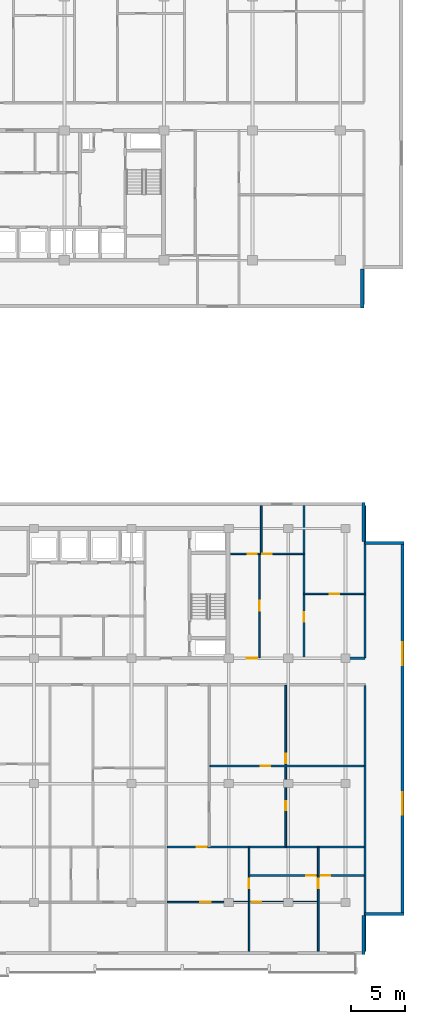
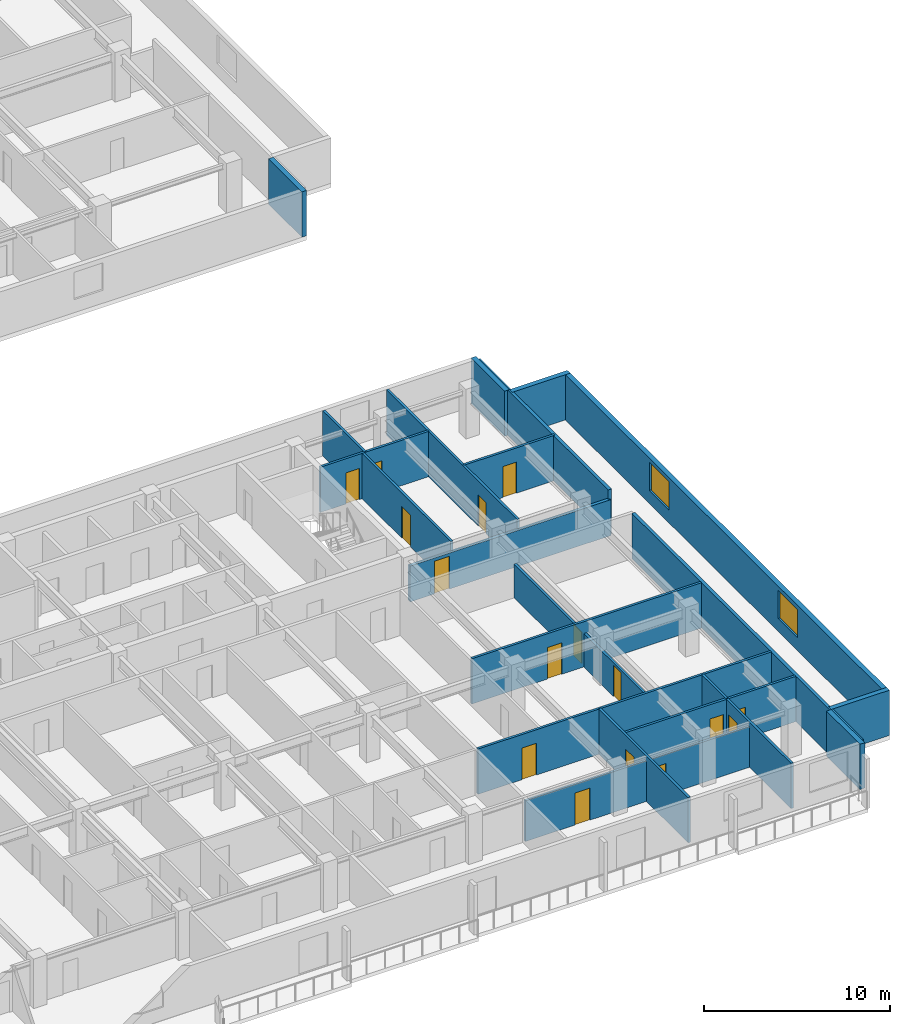
# One storey, part 9 of 21: 22 walls, 16 doors, 2 windows, 18 openings.
"""IFC4 building model written with IfcOpenShell, lengths in metres."""

from ifc_helpers import new_model, si_unit, direction, frame, frame_2d, origin, place, context, subcontext, project, spatial, rectangle, extrude, material, layer, layer_set, type_object, element, fill, save


model = new_model("IFC4")

# Units and contexts
model_context = context("Model", 3, precision=1e-05, world=origin(), true_north=direction((0.0, 1.0)))
body_context = subcontext(model_context, "Body", "Model", "MODEL_VIEW")
ifc_project = project(units=[si_unit("LENGTHUNIT", "METRE"), si_unit("AREAUNIT", "SQUARE_METRE"), si_unit("VOLUMEUNIT", "CUBIC_METRE"), si_unit("PLANEANGLEUNIT", "RADIAN"), si_unit("MASSUNIT", "GRAM", prefix="KILO")], contexts=[model_context])

# Site, building, storey
site_placement = place(None, origin())
site = spatial("IfcSite", under=ifc_project, at=site_placement, CompositionType="ELEMENT")
building_placement = place(site_placement, origin())
building = spatial("IfcBuilding", under=site, at=building_placement, Name="Korimba Cascade Residences", CompositionType="ELEMENT")
storey_placement = place(building_placement, frame((0.0, 0.0, 100.300048828125)))
storey = spatial("IfcBuildingStorey", under=building, at=storey_placement, Name="L28", CompositionType="ELEMENT", Elevation=100.300048828125)

# Walls
ifc_material_1 = material(Name="Precast concrete C40/50", Category="concrete")
ifc_layer_1 = layer(ifc_material_1, 0.300048828125)
ifc_layer_set_1 = layer_set([ifc_layer_1], Name="Precast concrete C40/50")
wall_type_1 = type_object("IfcWallType", Name="EW-STONE-300", PredefinedType="STANDARD", material=ifc_layer_set_1)
wall_1_placement = place(storey_placement, frame((130.449951171875, 50.800048828125, 0.0), z_axis=(0.0, 0.0, 1.0), x_axis=(0.0, 1.0, 0.0)))
element("IfcWall", 1, at=wall_1_placement, inside=storey, type_object=wall_type_1, Name="L28 T1 Perimeter Stone Wall E01", PredefinedType="STANDARD", context=body_context, shape_type="SweptSolid", body=[
    extrude(rectangle(XDim=3.599853515625, YDim=0.300048828125, at=frame_2d((1.7998046875, 0.0))), origin(), (0.0, 0.0, 1.0), 2.969970703125),
])
for number, where, z_axis, x_axis, name in (
    (2, (130.550048828125, -9.0, 0.0), (0.0, 0.0, 1.0), (0.0, 1.0, 0.0), "L28 T2 Perimeter Stone Wall E01"),
    (3, (130.699951171875, -5.25, 0.0), (0.0, 0.0, 1.0), (1.0, 0.0, 0.0), "L28 T2 Perimeter Stone Wall E02"),
):
    element("IfcWall", number, at=place(storey_placement, frame(where, z_axis=z_axis, x_axis=x_axis)), inside=storey, type_object=wall_type_1, Name=name, PredefinedType="STANDARD", context=body_context, shape_type="SweptSolid", body=[
        extrude(rectangle(XDim=3.60009765625, YDim=0.300048828125, at=frame_2d((1.800048828125, 0.0))), origin(), (0.0, 0.0, 1.0), 2.969970703125),
    ])

# Wall, openings, windows
wall_2_placement = place(storey_placement, frame((134.14990234375, -5.39990234375, 0.0), z_axis=(0.0, 0.0, 1.0), x_axis=(0.0, 1.0, 0.0)))
wall_2 = element("IfcWall", 4, at=wall_2_placement, inside=storey, type_object=wall_type_1, Name="L28 T2 Perimeter Stone Wall E03", PredefinedType="STANDARD", context=body_context, shape_type="SweptSolid", body=[
    extrude(rectangle(XDim=34.599853515625, YDim=0.300048828125, at=frame_2d((17.2998046875, 0.0))), origin(), (0.0, 0.0, 1.0), 2.969970703125),
])
opening_1_placement = place(wall_2_placement, frame((9.330078125, 0.0, 0.85009765625)))
opening_1 = element("IfcOpeningElement", 5, at=opening_1_placement, cuts=wall_2, Name="Opening W-03", PredefinedType="OPENING", context=body_context, shape_type="SweptSolid", body=[
    extrude(rectangle(XDim=2.10009765625, YDim=1.85009765625, at=frame_2d((1.050048828125, 0.925048828125))), frame((0.0, 0.16015625, 0.0), z_axis=(0.0, -1.0, 0.0), x_axis=(1.0, 0.0, 0.0)), (0.0, 0.0, 1.0), 0.320068359375),
])
opening_2_placement = place(wall_2_placement, frame((23.169921875, 0.0, 0.85009765625)))
opening_2 = element("IfcOpeningElement", 6, at=opening_2_placement, cuts=wall_2, Name="Opening W-03", PredefinedType="OPENING", context=body_context, shape_type="SweptSolid", body=[
    extrude(rectangle(XDim=2.10009765625, YDim=1.85009765625, at=frame_2d((1.050048828125, 0.925048828125))), frame((0.0, 0.16015625, 0.0), z_axis=(0.0, -1.0, 0.0), x_axis=(1.0, 0.0, 0.0)), (0.0, 0.0, 1.0), 0.320068359375),
])
ifc_material_2 = material(Name="Double-Glazed Aluminium Window", Category="aluminium")
window_type = type_object("IfcWindowType", Name="WIN-CRN-2100", PartitioningType="DOUBLE_PANEL_HORIZONTAL", PredefinedType="WINDOW", material=ifc_material_2)
window_1_placement = place(opening_1_placement, origin())
window_1 = element("IfcWindow", 7, at=window_1_placement, inside=storey, type_object=window_type, Name="L28 T2 End View Window 3.1", OverallHeight=1.85009765625, OverallWidth=2.10009765625, PartitioningType="DOUBLE_PANEL_HORIZONTAL", PredefinedType="WINDOW", context=body_context, shape_type="SweptSolid", body=[
    extrude(rectangle(XDim=2.10009765625, YDim=1.85009765625, at=frame_2d((1.050048828125, 0.925048828125))), frame((0.0, 0.030029296875, 0.0), z_axis=(0.0, -1.0, 0.0), x_axis=(1.0, 0.0, 0.0)), (0.0, 0.0, 1.0), 0.06005859375),
])
fill(opening_1, window_1)
window_2_placement = place(opening_2_placement, origin())
window_2 = element("IfcWindow", 8, at=window_2_placement, inside=storey, type_object=window_type, Name="L28 T2 End View Window 3.2", OverallHeight=1.85009765625, OverallWidth=2.10009765625, PartitioningType="DOUBLE_PANEL_HORIZONTAL", PredefinedType="WINDOW", context=body_context, shape_type="SweptSolid", body=[
    extrude(rectangle(XDim=2.10009765625, YDim=1.85009765625, at=frame_2d((1.050048828125, 0.925048828125))), frame((0.0, 0.030029296875, 0.0), z_axis=(0.0, -1.0, 0.0), x_axis=(1.0, 0.0, 0.0)), (0.0, 0.0, 1.0), 0.06005859375),
])
fill(opening_2, window_2)

# Walls
for number, where, z_axis, x_axis, name in (
    (9, (134.300048828125, 29.050048828125, 0.0), (0.0, 0.0, 1.0), (-1.0, 0.0, 0.0), "L28 T2 Perimeter Stone Wall E04"),
    (10, (130.550048828125, 29.199951171875, 0.0), (0.0, 0.0, 1.0), (0.0, 1.0, 0.0), "L28 T2 Perimeter Stone Wall E05"),
):
    element("IfcWall", number, at=place(storey_placement, frame(where, z_axis=z_axis, x_axis=x_axis)), inside=storey, type_object=wall_type_1, Name=name, PredefinedType="STANDARD", context=body_context, shape_type="SweptSolid", body=[
        extrude(rectangle(XDim=3.60009765625, YDim=0.300048828125, at=frame_2d((1.800048828125, 0.0))), origin(), (0.0, 0.0, 1.0), 2.969970703125),
    ])
ifc_layer_2 = layer(ifc_material_1, 0.199951171875)
ifc_layer_set_2 = layer_set([ifc_layer_2], Name="Precast concrete C40/50")
wall_type_2 = type_object("IfcWallType", Name="WAL-IT-200", PredefinedType="PARTITIONING", material=ifc_layer_set_2)
wall_3_placement = place(storey_placement, frame((130.699951171875, 18.39990234375, 0.0), z_axis=(0.0, 0.0, 1.0), x_axis=(0.0, 1.0, 0.0)))
element("IfcWall", 11, at=wall_3_placement, inside=storey, type_object=wall_type_2, Name="L28 Partition Wall WAL-L28-T2-FE-WR", PredefinedType="PARTITIONING", context=body_context, shape_type="SweptSolid", body=[
    extrude(rectangle(XDim=14.10009765625, YDim=0.199951171875, at=frame_2d((7.050048828125, 0.0))), origin(), (0.0, 0.0, 1.0), 2.969970703125),
])

# Wall, opening, door
wall_4_placement = place(storey_placement, frame((118.25, 18.39990234375, 0.0), z_axis=(0.0, 0.0, 1.0), x_axis=(1.0, 0.0, 0.0)))
wall_4 = element("IfcWall", 12, at=wall_4_placement, inside=storey, type_object=wall_type_2, Name="L28 Partition Wall WAL-L28-T2-FE-S", PredefinedType="PARTITIONING", context=body_context, shape_type="SweptSolid", body=[
    extrude(rectangle(XDim=12.449951171875, YDim=0.199951171875, at=frame_2d((6.22509765625, 0.0))), origin(), (0.0, 0.0, 1.0), 2.357666015625),
])
opening_3_placement = place(wall_4_placement, frame((1.510009765625, 0.0, 0.0)))
opening_3 = element("IfcOpeningElement", 13, at=opening_3_placement, cuts=wall_4, Name="Opening D-UN1", PredefinedType="OPENING", context=body_context, shape_type="SweptSolid", body=[
    extrude(rectangle(XDim=0.949951171875, YDim=2.14990234375, at=frame_2d((0.47509765625, 1.074951171875))), frame((0.0, 0.10986328125, 0.0), z_axis=(0.0, -1.0, 0.0), x_axis=(1.0, 0.0, 0.0)), (0.0, 0.0, 1.0), 0.219970703125),
])
ifc_material_3 = material(Name="Fire-Rated Hardwood Apartment Entrance Door", Category="wood")
door_type_1 = type_object("IfcDoorType", Name="DR-FD60-950", OperationType="NOTDEFINED", PredefinedType="DOOR", material=ifc_material_3)
door_1_placement = place(opening_3_placement, origin())
door_1 = element("IfcDoor", 14, at=door_1_placement, inside=storey, type_object=door_type_1, Name="L28-T2-FE Entrance Door", OperationType="SINGLE_SWING_RIGHT", OverallHeight=2.14990234375, OverallWidth=0.949951171875, PredefinedType="DOOR", context=body_context, shape_type="SweptSolid", body=[
    extrude(rectangle(XDim=0.949951171875, YDim=2.14990234375, at=frame_2d((0.47509765625, 1.074951171875))), frame((0.0, 0.02490234375, 0.0), z_axis=(0.0, -1.0, 0.0), x_axis=(1.0, 0.0, 0.0)), (0.0, 0.0, 1.0), 0.050048828125),
])
fill(opening_3, door_1)

# Wall
wall_5_placement = place(storey_placement, frame((130.699951171875, -8.699951171875, 0.0), z_axis=(0.0, 0.0, 1.0), x_axis=(0.0, 1.0, 0.0)))
element("IfcWall", 15, at=wall_5_placement, inside=storey, type_object=wall_type_2, Name="L28 Partition Wall WAL-L28-T2-BNDWR", PredefinedType="PARTITIONING", context=body_context, shape_type="SweptSolid", body=[
    extrude(rectangle(XDim=24.570068359375, YDim=0.199951171875, at=frame_2d((12.28515625, 0.0))), origin(), (0.0, 0.0, 1.0), 2.969970703125),
])

# Wall, opening, door
ifc_material_4 = material(Name="Insulated Acoustic Stud Partition", Category="gypsum")
ifc_layer_3 = layer(ifc_material_4, 0.14990234375)
ifc_layer_set_3 = layer_set([ifc_layer_3], Name="Insulated Acoustic Stud Partition")
wall_type_3 = type_object("IfcWallType", Name="WAL-PART-150", PredefinedType="PARTITIONING", material=ifc_layer_set_3)
wall_6_placement = place(storey_placement, frame((125.050048828125, 24.35009765625, 0.0), z_axis=(0.0, 0.0, 1.0), x_axis=(1.0, 0.0, 0.0)))
wall_6 = element("IfcWall", 16, at=wall_6_placement, inside=storey, type_object=wall_type_3, Name="L28 Partition Wall WAL-L28-T2-FE-STH", PredefinedType="PARTITIONING", context=body_context, shape_type="SweptSolid", body=[
    extrude(rectangle(XDim=5.64990234375, YDim=0.14990234375, at=frame_2d((2.824951171875, 0.0))), origin(), (0.0, 0.0, 1.0), 2.969970703125),
])
opening_4_placement = place(wall_6_placement, frame((2.405029296875, 0.0, 0.0)))
opening_4 = element("IfcOpeningElement", 17, at=opening_4_placement, cuts=wall_6, Name="Opening D-BT1", PredefinedType="OPENING", context=body_context, shape_type="SweptSolid", body=[
    extrude(rectangle(XDim=0.840087890625, YDim=2.0400390625, at=frame_2d((0.419921875, 1.02001953125))), frame((0.0, 0.0849609375, 0.0), z_axis=(0.0, -1.0, 0.0), x_axis=(1.0, 0.0, 0.0)), (0.0, 0.0, 1.0), 0.169921875),
])
ifc_material_5 = material(Name="Moisture-Resistant Bathroom Timber Door", Category="wood")
door_type_2 = type_object("IfcDoorType", Name="DR-INT-850", OperationType="NOTDEFINED", PredefinedType="DOOR", material=ifc_material_5)
door_2_placement = place(opening_4_placement, origin())
door_2 = element("IfcDoor", 18, at=door_2_placement, inside=storey, type_object=door_type_2, Name="L28-T2-FE Dressing Store Door", OperationType="SINGLE_SWING_LEFT", OverallHeight=2.0400390625, OverallWidth=0.840087890625, PredefinedType="DOOR", context=body_context, shape_type="SweptSolid", body=[
    extrude(rectangle(XDim=0.840087890625, YDim=2.0400390625, at=frame_2d((0.419921875, 1.02001953125))), frame((0.0, 0.02490234375, 0.0), z_axis=(0.0, -1.0, 0.0), x_axis=(1.0, 0.0, 0.0)), (0.0, 0.0, 1.0), 0.050048828125),
])
fill(opening_4, door_2)

wall_7_placement = place(storey_placement, frame((125.050048828125, 18.449951171875, 0.0), z_axis=(0.0, 0.0, 1.0), x_axis=(0.0, 1.0, 0.0)))
wall_7 = element("IfcWall", 19, at=wall_7_placement, inside=storey, type_object=wall_type_3, Name="L28 Partition Wall WAL-L28-T2-FE-STV", PredefinedType="PARTITIONING", context=body_context, shape_type="SweptSolid", body=[
    extrude(rectangle(XDim=14.050048828125, YDim=0.14990234375, at=frame_2d((7.02490234375, 0.0))), origin(), (0.0, 0.0, 1.0), 2.969970703125),
])
opening_5_placement = place(wall_7_placement, frame((3.320068359375, 0.0, 0.0)))
opening_5 = element("IfcOpeningElement", 20, at=opening_5_placement, cuts=wall_7, Name="Opening D-IN2", PredefinedType="OPENING", context=body_context, shape_type="SweptSolid", body=[
    extrude(rectangle(XDim=0.8798828125, YDim=2.06005859375, at=frame_2d((0.43994140625, 1.030029296875))), frame((0.0, 0.0849609375, 0.0), z_axis=(0.0, -1.0, 0.0), x_axis=(1.0, 0.0, 0.0)), (0.0, 0.0, 1.0), 0.169921875),
])
ifc_material_6 = material(Name="Acoustic Timber Bedroom Door", Category="wood")
door_type_3 = type_object("IfcDoorType", Name="DR-INT-880", OperationType="NOTDEFINED", PredefinedType="DOOR", material=ifc_material_6)
door_3_placement = place(opening_5_placement, origin())
door_3 = element("IfcDoor", 21, at=door_3_placement, inside=storey, type_object=door_type_3, Name="L28-T2-FE Study Door", OperationType="SINGLE_SWING_RIGHT", OverallHeight=2.06005859375, OverallWidth=0.8798828125, PredefinedType="DOOR", context=body_context, shape_type="SweptSolid", body=[
    extrude(rectangle(XDim=0.8798828125, YDim=2.06005859375, at=frame_2d((0.43994140625, 1.030029296875))), frame((0.0, 0.02490234375, 0.0), z_axis=(0.0, -1.0, 0.0), x_axis=(1.0, 0.0, 0.0)), (0.0, 0.0, 1.0), 0.050048828125),
])
fill(opening_5, door_3)

wall_8_placement = place(storey_placement, frame((120.929931640625, 18.449951171875, 0.0), z_axis=(0.0, 0.0, 1.0), x_axis=(0.0, 1.0, 0.0)))
wall_8 = element("IfcWall", 22, at=wall_8_placement, inside=storey, type_object=wall_type_3, Name="L28 Partition Wall WAL-L28-T2-FE-VS", PredefinedType="PARTITIONING", context=body_context, shape_type="SweptSolid", body=[
    extrude(rectangle(XDim=9.60009765625, YDim=0.14990234375, at=frame_2d((4.800048828125, 0.0))), origin(), (0.0, 0.0, 1.0), 2.969970703125),
])
opening_6_placement = place(wall_8_placement, frame((4.340087890625, 0.0, 0.0)))
opening_6 = element("IfcOpeningElement", 23, at=opening_6_placement, cuts=wall_8, Name="Opening D-IN1", PredefinedType="OPENING", context=body_context, shape_type="SweptSolid", body=[
    extrude(rectangle(XDim=0.919921875, YDim=2.080078125, at=frame_2d((0.4599609375, 1.0400390625))), frame((0.0, 0.0849609375, 0.0), z_axis=(0.0, -1.0, 0.0), x_axis=(1.0, 0.0, 0.0)), (0.0, 0.0, 1.0), 0.169921875),
])
ifc_material_7 = material(Name="Acoustic Timber Living Door", Category="wood")
door_type_4 = type_object("IfcDoorType", Name="DR-INT-920", OperationType="NOTDEFINED", PredefinedType="DOOR", material=ifc_material_7)
door_4_placement = place(opening_6_placement, origin())
door_4 = element("IfcDoor", 24, at=door_4_placement, inside=storey, type_object=door_type_4, Name="L28-T2-FE Living Door", OperationType="SINGLE_SWING_LEFT", OverallHeight=2.080078125, OverallWidth=0.919921875, PredefinedType="DOOR", context=body_context, shape_type="SweptSolid", body=[
    extrude(rectangle(XDim=0.919921875, YDim=2.080078125, at=frame_2d((0.4599609375, 1.0400390625))), frame((0.0, 0.02490234375, 0.0), z_axis=(0.0, -1.0, 0.0), x_axis=(1.0, 0.0, 0.0)), (0.0, 0.0, 1.0), 0.050048828125),
])
fill(opening_6, door_4)

# Wall
wall_9_placement = place(storey_placement, frame((121.10009765625, 28.050048828125, 0.0), z_axis=(0.0, 0.0, 1.0), x_axis=(0.0, 1.0, 0.0)))
element("IfcWall", 25, at=wall_9_placement, inside=storey, type_object=wall_type_3, Name="L28 Partition Wall WAL-L28-T2-FE-VN", PredefinedType="PARTITIONING", context=body_context, shape_type="SweptSolid", body=[
    extrude(rectangle(XDim=4.449951171875, YDim=0.14990234375, at=frame_2d((2.22509765625, 0.0))), origin(), (0.0, 0.0, 1.0), 2.969970703125),
])

# Wall, openings, doors
wall_10_placement = place(storey_placement, frame((118.27001953125, 28.050048828125, 0.0), z_axis=(0.0, 0.0, 1.0), x_axis=(1.0, 0.0, 0.0)))
wall_10 = element("IfcWall", 26, at=wall_10_placement, inside=storey, type_object=wall_type_3, Name="L28 Partition Wall WAL-L28-T2-FE-H", PredefinedType="PARTITIONING", context=body_context, shape_type="SweptSolid", body=[
    extrude(rectangle(XDim=6.760009765625, YDim=0.14990234375, at=frame_2d((3.3798828125, 0.0))), origin(), (0.0, 0.0, 1.0), 2.969970703125),
])
opening_7_placement = place(wall_10_placement, frame((1.58740234375, 0.0, 0.0)))
opening_7 = element("IfcOpeningElement", 27, at=opening_7_placement, cuts=wall_10, Name="Opening D-BT1", PredefinedType="OPENING", context=body_context, shape_type="SweptSolid", body=[
    extrude(rectangle(XDim=0.840087890625, YDim=2.0400390625, at=frame_2d((0.419921875, 1.02001953125))), frame((0.0, 0.0849609375, 0.0), z_axis=(0.0, -1.0, 0.0), x_axis=(1.0, 0.0, 0.0)), (0.0, 0.0, 1.0), 0.169921875),
])
opening_8_placement = place(wall_10_placement, frame((2.93994140625, 0.0, 0.0)))
opening_8 = element("IfcOpeningElement", 28, at=opening_8_placement, cuts=wall_10, Name="Opening D-IN2", PredefinedType="OPENING", context=body_context, shape_type="SweptSolid", body=[
    extrude(rectangle(XDim=0.8798828125, YDim=2.06005859375, at=frame_2d((0.43994140625, 1.030029296875))), frame((0.0, 0.0849609375, 0.0), z_axis=(0.0, -1.0, 0.0), x_axis=(1.0, 0.0, 0.0)), (0.0, 0.0, 1.0), 0.169921875),
])
door_5_placement = place(opening_7_placement, origin())
door_5 = element("IfcDoor", 29, at=door_5_placement, inside=storey, type_object=door_type_2, Name="L28-T2-FE Bathroom Door", OperationType="SINGLE_SWING_RIGHT", OverallHeight=2.0400390625, OverallWidth=0.840087890625, PredefinedType="DOOR", context=body_context, shape_type="SweptSolid", body=[
    extrude(rectangle(XDim=0.840087890625, YDim=2.0400390625, at=frame_2d((0.419921875, 1.02001953125))), frame((0.0, 0.02490234375, 0.0), z_axis=(0.0, -1.0, 0.0), x_axis=(1.0, 0.0, 0.0)), (0.0, 0.0, 1.0), 0.050048828125),
])
fill(opening_7, door_5)
door_6_placement = place(opening_8_placement, origin())
door_6 = element("IfcDoor", 30, at=door_6_placement, inside=storey, type_object=door_type_3, Name="L28-T2-FE Bedroom Door", OperationType="SINGLE_SWING_LEFT", OverallHeight=2.06005859375, OverallWidth=0.8798828125, PredefinedType="DOOR", context=body_context, shape_type="SweptSolid", body=[
    extrude(rectangle(XDim=0.8798828125, YDim=2.06005859375, at=frame_2d((0.43994140625, 1.030029296875))), frame((0.0, 0.02490234375, 0.0), z_axis=(0.0, -1.0, 0.0), x_axis=(1.0, 0.0, 0.0)), (0.0, 0.0, 1.0), 0.050048828125),
])
fill(opening_8, door_6)

wall_11_placement = place(storey_placement, frame((123.367431640625, 0.989990234375, 0.0), z_axis=(0.0, 0.0, 1.0), x_axis=(0.0, 1.0, 0.0)))
wall_11 = element("IfcWall", 31, at=wall_11_placement, inside=storey, type_object=wall_type_3, Name="L28 Partition Wall WAL-L28-T2-U04-FMV", PredefinedType="PARTITIONING", context=body_context, shape_type="SweptSolid", body=[
    extrude(rectangle(XDim=14.89990234375, YDim=0.14990234375, at=frame_2d((7.449951171875, 0.0))), origin(), (0.0, 0.0, 1.0), 2.2001953125),
])
opening_9_placement = place(wall_11_placement, frame((3.35498046875, 0.0, 0.0)))
opening_9 = element("IfcOpeningElement", 32, at=opening_9_placement, cuts=wall_11, Name="Opening D-BT1", PredefinedType="OPENING", context=body_context, shape_type="SweptSolid", body=[
    extrude(rectangle(XDim=0.840087890625, YDim=2.0400390625, at=frame_2d((0.419921875, 1.02001953125))), frame((0.0, 0.0849609375, 0.0), z_axis=(0.0, -1.0, 0.0), x_axis=(1.0, 0.0, 0.0)), (0.0, 0.0, 1.0), 0.169921875),
])
opening_10_placement = place(wall_11_placement, frame((7.699951171875, 0.0, 0.0)))
opening_10 = element("IfcOpeningElement", 33, at=opening_10_placement, cuts=wall_11, Name="Opening D-IN2", PredefinedType="OPENING", context=body_context, shape_type="SweptSolid", body=[
    extrude(rectangle(XDim=0.8798828125, YDim=2.06005859375, at=frame_2d((0.43994140625, 1.030029296875))), frame((0.0, 0.0849609375, 0.0), z_axis=(0.0, -1.0, 0.0), x_axis=(1.0, 0.0, 0.0)), (0.0, 0.0, 1.0), 0.169921875),
])
door_7_placement = place(opening_9_placement, origin())
door_7 = element("IfcDoor", 34, at=door_7_placement, inside=storey, type_object=door_type_2, Name="L28-T2-U04 Wardrobe Door", OperationType="SINGLE_SWING_RIGHT", OverallHeight=2.0400390625, OverallWidth=0.840087890625, PredefinedType="DOOR", context=body_context, shape_type="SweptSolid", body=[
    extrude(rectangle(XDim=0.840087890625, YDim=2.0400390625, at=frame_2d((0.419921875, 1.02001953125))), frame((0.0, 0.02490234375, 0.0), z_axis=(0.0, -1.0, 0.0), x_axis=(1.0, 0.0, 0.0)), (0.0, 0.0, 1.0), 0.050048828125),
])
fill(opening_9, door_7)
door_8_placement = place(opening_10_placement, origin())
door_8 = element("IfcDoor", 35, at=door_8_placement, inside=storey, type_object=door_type_3, Name="L28-T2-U04 Music Lounge Door", OperationType="SINGLE_SWING_LEFT", OverallHeight=2.06005859375, OverallWidth=0.8798828125, PredefinedType="DOOR", context=body_context, shape_type="SweptSolid", body=[
    extrude(rectangle(XDim=0.8798828125, YDim=2.06005859375, at=frame_2d((0.43994140625, 1.030029296875))), frame((0.0, 0.02490234375, 0.0), z_axis=(0.0, -1.0, 0.0), x_axis=(1.0, 0.0, 0.0)), (0.0, 0.0, 1.0), 0.050048828125),
])
fill(opening_10, door_8)

# Wall, opening, door
wall_12_placement = place(storey_placement, frame((116.35498046875, 8.43994140625, 0.0), z_axis=(0.0, 0.0, 1.0), x_axis=(1.0, 0.0, 0.0)))
wall_12 = element("IfcWall", 36, at=wall_12_placement, inside=storey, type_object=wall_type_3, Name="L28 Partition Wall WAL-L28-T2-U04-FMH", PredefinedType="PARTITIONING", context=body_context, shape_type="SweptSolid", body=[
    extrude(rectangle(XDim=14.26513671875, YDim=0.14990234375, at=frame_2d((7.132568359375, 0.0))), origin(), (0.0, 0.0, 1.0), 2.969970703125),
])
opening_11_placement = place(wall_12_placement, frame((4.688720703125, 0.0, 0.0)))
opening_11 = element("IfcOpeningElement", 37, at=opening_11_placement, cuts=wall_12, Name="Opening D-IN2", PredefinedType="OPENING", context=body_context, shape_type="SweptSolid", body=[
    extrude(rectangle(XDim=0.8798828125, YDim=2.06005859375, at=frame_2d((0.43994140625, 1.030029296875))), frame((0.0, 0.0849609375, 0.0), z_axis=(0.0, -1.0, 0.0), x_axis=(1.0, 0.0, 0.0)), (0.0, 0.0, 1.0), 0.169921875),
])
door_9_placement = place(opening_11_placement, origin())
door_9 = element("IfcDoor", 38, at=door_9_placement, inside=storey, type_object=door_type_3, Name="L28-T2-U04 Library Salon Door", OperationType="SINGLE_SWING_RIGHT", OverallHeight=2.06005859375, OverallWidth=0.8798828125, PredefinedType="DOOR", context=body_context, shape_type="SweptSolid", body=[
    extrude(rectangle(XDim=0.8798828125, YDim=2.06005859375, at=frame_2d((0.43994140625, 1.030029296875))), frame((0.0, 0.02490234375, 0.0), z_axis=(0.0, -1.0, 0.0), x_axis=(1.0, 0.0, 0.0)), (0.0, 0.0, 1.0), 0.050048828125),
])
fill(opening_11, door_9)

wall_13_placement = place(storey_placement, frame((119.97998046875, -8.699951171875, 0.0), z_axis=(0.0, 0.0, 1.0), x_axis=(0.0, 1.0, 0.0)))
wall_13 = element("IfcWall", 39, at=wall_13_placement, inside=storey, type_object=wall_type_3, Name="L28 Partition Wall WAL-L28-T2-U04-V1", PredefinedType="PARTITIONING", context=body_context, shape_type="SweptSolid", body=[
    extrude(rectangle(XDim=9.60986328125, YDim=0.14990234375, at=frame_2d((4.804931640625, 0.0))), origin(), (0.0, 0.0, 1.0), 2.969970703125),
])
opening_12_placement = place(wall_13_placement, frame((5.81005859375, 0.0, 0.0)))
opening_12 = element("IfcOpeningElement", 40, at=opening_12_placement, cuts=wall_13, Name="Opening D-IN1", PredefinedType="OPENING", context=body_context, shape_type="SweptSolid", body=[
    extrude(rectangle(XDim=0.919921875, YDim=2.080078125, at=frame_2d((0.4599609375, 1.0400390625))), frame((0.0, 0.0849609375, 0.0), z_axis=(0.0, -1.0, 0.0), x_axis=(1.0, 0.0, 0.0)), (0.0, 0.0, 1.0), 0.169921875),
])
door_10_placement = place(opening_12_placement, origin())
door_10 = element("IfcDoor", 41, at=door_10_placement, inside=storey, type_object=door_type_4, Name="L28-T2-U04 Hallway Door", OperationType="SINGLE_SWING_RIGHT", OverallHeight=2.080078125, OverallWidth=0.919921875, PredefinedType="DOOR", context=body_context, shape_type="SweptSolid", body=[
    extrude(rectangle(XDim=0.919921875, YDim=2.080078125, at=frame_2d((0.4599609375, 1.0400390625))), frame((0.0, 0.02490234375, 0.0), z_axis=(0.0, -1.0, 0.0), x_axis=(1.0, 0.0, 0.0)), (0.0, 0.0, 1.0), 0.050048828125),
])
fill(opening_12, door_10)

# Wall
wall_14_placement = place(storey_placement, frame((126.3701171875, -1.669921875, 0.0), z_axis=(0.0, 0.0, 1.0), x_axis=(0.0, 1.0, 0.0)))
element("IfcWall", 42, at=wall_14_placement, inside=storey, type_object=wall_type_3, Name="L28 Partition Wall WAL-L28-T2-U04-VBATH", PredefinedType="PARTITIONING", context=body_context, shape_type="SweptSolid", body=[
    extrude(rectangle(XDim=2.579833984375, YDim=0.14990234375, at=frame_2d((1.2900390625, 0.0))), origin(), (0.0, 0.0, 1.0), 2.969970703125),
])

# Wall, opening, door
wall_15_placement = place(storey_placement, frame((126.3701171875, -8.699951171875, 0.0), z_axis=(0.0, 0.0, 1.0), x_axis=(0.0, 1.0, 0.0)))
wall_15 = element("IfcWall", 43, at=wall_15_placement, inside=storey, type_object=wall_type_3, Name="L28 Partition Wall WAL-L28-T2-U04-V2FULL", PredefinedType="PARTITIONING", context=body_context, shape_type="SweptSolid", body=[
    extrude(rectangle(XDim=6.989990234375, YDim=0.14990234375, at=frame_2d((3.4951171875, 0.0))), origin(), (0.0, 0.0, 1.0), 2.969970703125),
])
opening_13_placement = place(wall_15_placement, frame((5.81005859375, 0.0, 0.0)))
opening_13 = element("IfcOpeningElement", 44, at=opening_13_placement, cuts=wall_15, Name="Opening D-IN1", PredefinedType="OPENING", context=body_context, shape_type="SweptSolid", body=[
    extrude(rectangle(XDim=0.919921875, YDim=2.080078125, at=frame_2d((0.4599609375, 1.0400390625))), frame((0.0, 0.0849609375, 0.0), z_axis=(0.0, -1.0, 0.0), x_axis=(1.0, 0.0, 0.0)), (0.0, 0.0, 1.0), 0.169921875),
])
door_11_placement = place(opening_13_placement, origin())
door_11 = element("IfcDoor", 45, at=door_11_placement, inside=storey, type_object=door_type_4, Name="L28-T2-U04 Master Bedroom Door", OperationType="SINGLE_SWING_LEFT", OverallHeight=2.080078125, OverallWidth=0.919921875, PredefinedType="DOOR", context=body_context, shape_type="SweptSolid", body=[
    extrude(rectangle(XDim=0.919921875, YDim=2.080078125, at=frame_2d((0.4599609375, 1.0400390625))), frame((0.0, 0.02490234375, 0.0), z_axis=(0.0, -1.0, 0.0), x_axis=(1.0, 0.0, 0.0)), (0.0, 0.0, 1.0), 0.050048828125),
])
fill(opening_13, door_11)

# Wall, openings, doors
wall_16_placement = place(storey_placement, frame((120.02001953125, -1.68994140625, 0.0), z_axis=(0.0, 0.0, 1.0), x_axis=(1.0, 0.0, 0.0)))
wall_16 = element("IfcWall", 46, at=wall_16_placement, inside=storey, type_object=wall_type_3, Name="L28 Partition Wall WAL-L28-T2-U04-HWALL", PredefinedType="PARTITIONING", context=body_context, shape_type="SweptSolid", body=[
    extrude(rectangle(XDim=10.60009765625, YDim=0.14990234375, at=frame_2d((5.300048828125, 0.0))), origin(), (0.0, 0.0, 1.0), 2.969970703125),
])
opening_14_placement = place(wall_16_placement, frame((5.260009765625, 0.0, 0.0)))
opening_14 = element("IfcOpeningElement", 47, at=opening_14_placement, cuts=wall_16, Name="Opening D-BT1", PredefinedType="OPENING", context=body_context, shape_type="SweptSolid", body=[
    extrude(rectangle(XDim=0.840087890625, YDim=2.0400390625, at=frame_2d((0.419921875, 1.02001953125))), frame((0.0, 0.0849609375, 0.0), z_axis=(0.0, -1.0, 0.0), x_axis=(1.0, 0.0, 0.0)), (0.0, 0.0, 1.0), 0.169921875),
])
opening_15_placement = place(wall_16_placement, frame((6.60009765625, 0.0, 0.0)))
opening_15 = element("IfcOpeningElement", 48, at=opening_15_placement, cuts=wall_16, Name="Opening D-BT1", PredefinedType="OPENING", context=body_context, shape_type="SweptSolid", body=[
    extrude(rectangle(XDim=0.840087890625, YDim=2.0400390625, at=frame_2d((0.419921875, 1.02001953125))), frame((0.0, 0.0849609375, 0.0), z_axis=(0.0, -1.0, 0.0), x_axis=(1.0, 0.0, 0.0)), (0.0, 0.0, 1.0), 0.169921875),
])
door_12_placement = place(opening_14_placement, origin())
door_12 = element("IfcDoor", 49, at=door_12_placement, inside=storey, type_object=door_type_2, Name="L28-T2-U04 Family Bathroom Door", OperationType="SINGLE_SWING_RIGHT", OverallHeight=2.0400390625, OverallWidth=0.840087890625, PredefinedType="DOOR", context=body_context, shape_type="SweptSolid", body=[
    extrude(rectangle(XDim=0.840087890625, YDim=2.0400390625, at=frame_2d((0.419921875, 1.02001953125))), frame((0.0, 0.02490234375, 0.0), z_axis=(0.0, -1.0, 0.0), x_axis=(1.0, 0.0, 0.0)), (0.0, 0.0, 1.0), 0.050048828125),
])
fill(opening_14, door_12)
door_13_placement = place(opening_15_placement, origin())
door_13 = element("IfcDoor", 50, at=door_13_placement, inside=storey, type_object=door_type_2, Name="L28-T2-U04 En-Suite Door", OperationType="SINGLE_SWING_LEFT", OverallHeight=2.0400390625, OverallWidth=0.840087890625, PredefinedType="DOOR", context=body_context, shape_type="SweptSolid", body=[
    extrude(rectangle(XDim=0.840087890625, YDim=2.0400390625, at=frame_2d((0.419921875, 1.02001953125))), frame((0.0, 0.02490234375, 0.0), z_axis=(0.0, -1.0, 0.0), x_axis=(1.0, 0.0, 0.0)), (0.0, 0.0, 1.0), 0.050048828125),
])
fill(opening_15, door_13)

# Wall, opening, door
wall_17_placement = place(storey_placement, frame((112.405029296875, 0.949951171875, 0.0), z_axis=(0.0, 0.0, 1.0), x_axis=(1.0, 0.0, 0.0)))
wall_17 = element("IfcWall", 51, at=wall_17_placement, inside=storey, type_object=wall_type_3, Name="L28 Partition Wall WAL-L28-T2-U04-MW", PredefinedType="PARTITIONING", context=body_context, shape_type="SweptSolid", body=[
    extrude(rectangle(XDim=18.215087890625, YDim=0.14990234375, at=frame_2d((9.107421875, 0.0))), origin(), (0.0, 0.0, 1.0), 2.969970703125),
])
opening_16_placement = place(wall_17_placement, frame((2.719970703125, 0.0, 0.0)))
opening_16 = element("IfcOpeningElement", 52, at=opening_16_placement, cuts=wall_17, Name="Opening D-IN1", PredefinedType="OPENING", context=body_context, shape_type="SweptSolid", body=[
    extrude(rectangle(XDim=0.919921875, YDim=2.080078125, at=frame_2d((0.4599609375, 1.0400390625))), frame((0.0, 0.0849609375, 0.0), z_axis=(0.0, -1.0, 0.0), x_axis=(1.0, 0.0, 0.0)), (0.0, 0.0, 1.0), 0.169921875),
])
door_14_placement = place(opening_16_placement, origin())
door_14 = element("IfcDoor", 53, at=door_14_placement, inside=storey, type_object=door_type_4, Name="L28-T2-U04 Kitchen Door", OperationType="SINGLE_SWING_RIGHT", OverallHeight=2.080078125, OverallWidth=0.919921875, PredefinedType="DOOR", context=body_context, shape_type="SweptSolid", body=[
    extrude(rectangle(XDim=0.919921875, YDim=2.080078125, at=frame_2d((0.4599609375, 1.0400390625))), frame((0.0, 0.02490234375, 0.0), z_axis=(0.0, -1.0, 0.0), x_axis=(1.0, 0.0, 0.0)), (0.0, 0.0, 1.0), 0.050048828125),
])
fill(opening_16, door_14)

# Wall, openings, doors
wall_18_placement = place(storey_placement, frame((112.405029296875, -4.14990234375, 0.0), z_axis=(0.0, 0.0, 1.0), x_axis=(1.0, 0.0, 0.0)))
wall_18 = element("IfcWall", 54, at=wall_18_placement, inside=storey, type_object=wall_type_3, Name="L28 Partition Wall WAL-L28-T2-U04-HZ", PredefinedType="PARTITIONING", context=body_context, shape_type="SweptSolid", body=[
    extrude(rectangle(XDim=13.965087890625, YDim=0.14990234375, at=frame_2d((6.982421875, 0.0))), origin(), (0.0, 0.0, 1.0), 2.663330078125),
])
opening_17_placement = place(wall_18_placement, frame((3.072021484375, 0.0, 0.0)))
opening_17 = element("IfcOpeningElement", 55, at=opening_17_placement, cuts=wall_18, Name="Opening D-IN0", PredefinedType="OPENING", context=body_context, shape_type="SweptSolid", body=[
    extrude(rectangle(XDim=0.93994140625, YDim=2.10009765625, at=frame_2d((0.469970703125, 1.050048828125))), frame((0.0, 0.0849609375, 0.0), z_axis=(0.0, -1.0, 0.0), x_axis=(1.0, 0.0, 0.0)), (0.0, 0.0, 1.0), 0.169921875),
])
opening_18_placement = place(wall_18_placement, frame((7.824951171875, 0.0, 0.0)))
opening_18 = element("IfcOpeningElement", 56, at=opening_18_placement, cuts=wall_18, Name="Opening D-IN2", PredefinedType="OPENING", context=body_context, shape_type="SweptSolid", body=[
    extrude(rectangle(XDim=0.8798828125, YDim=2.06005859375, at=frame_2d((0.43994140625, 1.030029296875))), frame((0.0, 0.0849609375, 0.0), z_axis=(0.0, -1.0, 0.0), x_axis=(1.0, 0.0, 0.0)), (0.0, 0.0, 1.0), 0.169921875),
])
door_15_placement = place(opening_18_placement, origin())
door_15 = element("IfcDoor", 57, at=door_15_placement, inside=storey, type_object=door_type_3, Name="L28-T2-U04 Bedroom 2 Door", OperationType="SINGLE_SWING_RIGHT", OverallHeight=2.06005859375, OverallWidth=0.8798828125, PredefinedType="DOOR", context=body_context, shape_type="SweptSolid", body=[
    extrude(rectangle(XDim=0.8798828125, YDim=2.06005859375, at=frame_2d((0.43994140625, 1.030029296875))), frame((0.0, 0.02490234375, 0.0), z_axis=(0.0, -1.0, 0.0), x_axis=(1.0, 0.0, 0.0)), (0.0, 0.0, 1.0), 0.050048828125),
])
fill(opening_18, door_15)
ifc_material_8 = material(Name="Acoustic Timber Living Archway Door", Category="wood")
door_type_5 = type_object("IfcDoorType", Name="DR-INT-950", OperationType="NOTDEFINED", PredefinedType="DOOR", material=ifc_material_8)
door_16_placement = place(opening_17_placement, origin())
door_16 = element("IfcDoor", 58, at=door_16_placement, inside=storey, type_object=door_type_5, Name="L28-T2-U04 Living Room Door", OperationType="SINGLE_SWING_LEFT", OverallHeight=2.10009765625, OverallWidth=0.93994140625, PredefinedType="DOOR", context=body_context, shape_type="SweptSolid", body=[
    extrude(rectangle(XDim=0.93994140625, YDim=2.10009765625, at=frame_2d((0.469970703125, 1.050048828125))), frame((0.0, 0.02490234375, 0.0), z_axis=(0.0, -1.0, 0.0), x_axis=(1.0, 0.0, 0.0)), (0.0, 0.0, 1.0), 0.050048828125),
])
fill(opening_17, door_16)

save(model, "model.ifc")
